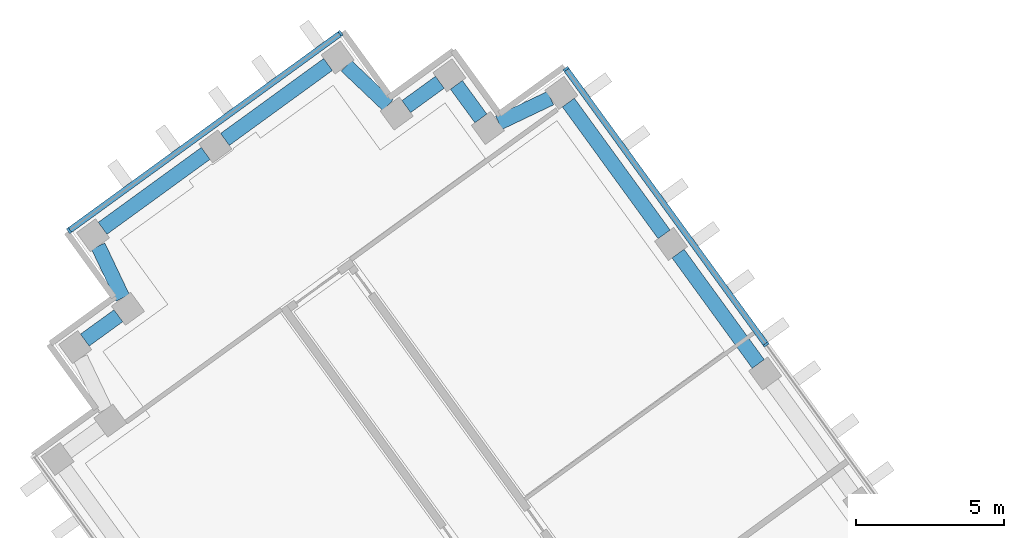
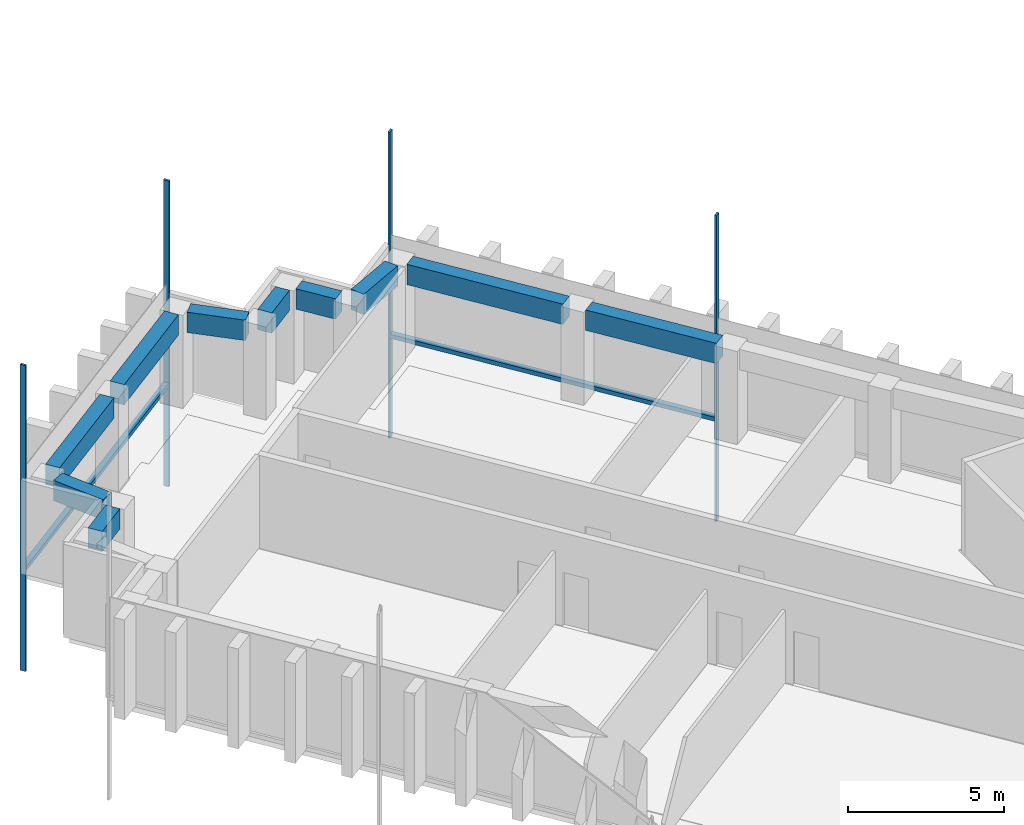
# One storey, part 4 of 14: 10 beams, 6 members, 2 elements without a shape of their own.
"""IFC4 building model written with IfcOpenShell, lengths in metres."""

from ifc_helpers import new_model, si_unit, direction, frame, origin, origin_2d, place, context, subcontext, project, spatial, rectangle, extrude, material, material_profile, profile_set, type_object, element, aggregate, save


model = new_model("IFC4")

# Units and contexts
model_context = context("Model", 3, precision=1e-05, world=origin(), true_north=direction((0.0, 1.0)))
body_context = subcontext(model_context, "Body", "Model", "MODEL_VIEW")
ifc_project = project(units=[si_unit("LENGTHUNIT", "METRE"), si_unit("AREAUNIT", "SQUARE_METRE"), si_unit("VOLUMEUNIT", "CUBIC_METRE"), si_unit("PLANEANGLEUNIT", "RADIAN"), si_unit("MASSUNIT", "GRAM", prefix="KILO")], contexts=[model_context])

# Site, building, storey
site_placement = place(None, origin())
site = spatial("IfcSite", under=ifc_project, at=site_placement, CompositionType="ELEMENT")
building_placement = place(site_placement, origin())
building = spatial("IfcBuilding", under=site, at=building_placement, Name="Quipu Civic Tower", CompositionType="ELEMENT")
storey_placement = place(building_placement, frame((0.0, 0.0, 198.0)))
storey = spatial("IfcBuildingStorey", under=building, at=storey_placement, Name="L46", CompositionType="ELEMENT", Elevation=198.0)

# Curtain wall, members
ifc_material_1 = material(Name="Insulated glass unit", Category="glass")
curtain_wall_type = type_object("IfcCurtainWallType", Name="Office curtain wall CW1", PredefinedType="NOTDEFINED", material=ifc_material_1)
curtain_wall_1_placement = place(storey_placement, origin())
curtain_wall_1 = element("IfcCurtainWall", 1, at=curtain_wall_1_placement, inside=storey, type_object=curtain_wall_type, Name="Office curtain wall CW1 L45 run 17", PredefinedType="NOTDEFINED")
ifc_material_2 = material(Name="Anodised aluminium", Category="aluminium")
ifc_material_profile_1 = material_profile(ifc_material_2, rectangle(XDim=0.199951171875, YDim=0.080078125, at=origin_2d()), Name="RECT 200x80")
ifc_profile_set_1 = profile_set([ifc_material_profile_1], Name="Anodised aluminium")
member_type_1 = type_object("IfcMemberType", Name="Mullion CW1", PredefinedType="MULLION", material=ifc_profile_set_1)
member_1_placement = place(storey_placement, frame((-21.11669921875, 20.421630859375, -3.919921875), z_axis=(0.0, 0.0, 1.0), x_axis=(-0.809014469803, -0.587788727052, 0.0)))
member_1 = element("IfcMember", 2, at=member_1_placement, type_object=member_type_1, Name="CW1 mullion 2", PredefinedType="MULLION", context=body_context, shape_type="SweptSolid", body=[
    extrude(rectangle(XDim=0.199951171875, YDim=0.080078125, at=origin_2d()), origin(), (0.0, 0.0, 1.0), 12.0),
])
member_2_placement = place(storey_placement, frame((-27.865966796875, 29.7109375, -3.919921875), z_axis=(0.0, 0.0, 1.0), x_axis=(-0.809014469803, -0.587788727052, 0.0)))
member_2 = element("IfcMember", 3, at=member_2_placement, type_object=member_type_1, Name="CW1 mullion 3", PredefinedType="MULLION", context=body_context, shape_type="SweptSolid", body=[
    extrude(rectangle(XDim=0.199951171875, YDim=0.080078125, at=origin_2d()), origin(), (0.0, 0.0, 1.0), 12.0),
])

curtain_wall_2_placement = place(storey_placement, origin())
curtain_wall_2 = element("IfcCurtainWall", 4, at=curtain_wall_2_placement, inside=storey, type_object=curtain_wall_type, Name="Office curtain wall CW1 L45 run 22", PredefinedType="NOTDEFINED")
member_3_placement = place(storey_placement, frame((-35.46435546875, 30.914306640625, -3.919921875), z_axis=(0.0, 0.0, 1.0), x_axis=(0.587787753918, -0.809015176832, 0.0)))
member_3 = element("IfcMember", 5, at=member_3_placement, type_object=member_type_1, Name="CW1 mullion 1", PredefinedType="MULLION", context=body_context, shape_type="SweptSolid", body=[
    extrude(rectangle(XDim=0.199951171875, YDim=0.080078125, at=origin_2d()), origin(), (0.0, 0.0, 1.0), 12.0),
])
member_4_placement = place(storey_placement, frame((-44.62255859375, 24.260498046875, -3.919921875), z_axis=(0.0, 0.0, 1.0), x_axis=(0.587787753918, -0.809015176832, 0.0)))
member_4 = element("IfcMember", 6, at=member_4_placement, type_object=member_type_1, Name="CW1 mullion 2", PredefinedType="MULLION", context=body_context, shape_type="SweptSolid", body=[
    extrude(rectangle(XDim=0.199951171875, YDim=0.080078125, at=origin_2d()), origin(), (0.0, 0.0, 1.0), 12.0),
])

# Beams
ifc_material_3 = material(Name="Concrete C50/60", Category="concrete")
ifc_material_profile_2 = material_profile(ifc_material_3, rectangle(XDim=0.5, YDim=0.800048828125, at=origin_2d()), Name="RC500x800")
ifc_profile_set_2 = profile_set([ifc_material_profile_2], Name="Concrete C50/60")
beam_type = type_object("IfcBeamType", Name="Spandrel beam RC 500x800 C50/60", PredefinedType="SPANDREL", material=ifc_profile_set_2)
beam_1_placement = place(storey_placement, frame((-21.382568359375, 19.767333984375, 3.25), z_axis=(-0.587736122681, 0.809052686848, 0.0), x_axis=(-0.809052686848, -0.587736122681, 0.0)))
element("IfcBeam", 7, at=beam_1_placement, inside=storey, type_object=beam_type, Name="Spandrel beam L46 W-IN-02 to W-IN-03", PredefinedType="SPANDREL", context=body_context, shape_type="SweptSolid", body=[
    extrude(rectangle(XDim=0.5, YDim=0.800048828125, at=origin_2d()), origin(), (0.0, 0.0, 1.0), 4.60009765625),
])
beam_2_placement = place(storey_placement, frame((-24.556396484375, 24.13623046875, 3.25), z_axis=(-0.587664254196, 0.809104890815, 0.0), x_axis=(-0.809104890815, -0.587664254196, 0.0)))
element("IfcBeam", 8, at=beam_2_placement, inside=storey, type_object=beam_type, Name="Spandrel beam L46 W-IN-03 to T-Wi.0-W34", PredefinedType="SPANDREL", context=body_context, shape_type="SweptSolid", body=[
    extrude(rectangle(XDim=0.5, YDim=0.800048828125, at=origin_2d()), origin(), (0.0, 0.0, 1.0), 5.493896484375),
])
beam_3_placement = place(storey_placement, frame((-28.38720703125, 28.72998046875, 3.25), z_axis=(-0.902584802379, -0.430512107279, 0.0), x_axis=(0.430512107279, -0.902584802379, 0.0)))
element("IfcBeam", 9, at=beam_3_placement, inside=storey, type_object=beam_type, Name="Spandrel beam L46 T-Wi.0-W34 to T-Wi.1-W34", PredefinedType="SPANDREL", context=body_context, shape_type="SweptSolid", body=[
    extrude(rectangle(XDim=0.5, YDim=0.800048828125, at=origin_2d()), origin(), (0.0, 0.0, 1.0), 1.9326171875),
])
beam_4_placement = place(storey_placement, frame((-30.734375, 28.0458984375, 3.25), z_axis=(-0.589342949835, 0.80788296645, 0.0), x_axis=(-0.80788296645, -0.589342949835, 0.0)))
element("IfcBeam", 10, at=beam_4_placement, inside=storey, type_object=beam_type, Name="Spandrel beam L46 T-Wi.1-W34 to T-Wi.2-W34", PredefinedType="SPANDREL", context=body_context, shape_type="SweptSolid", body=[
    extrude(rectangle(XDim=0.5, YDim=0.800048828125, at=origin_2d()), origin(), (0.0, 0.0, 1.0), 1.39990234375),
])
beam_5_placement = place(storey_placement, frame((-32.118896484375, 29.26513671875, 3.25), z_axis=(-0.80941533633, -0.587236590578, 0.0), x_axis=(0.587236590578, -0.80941533633, 0.0)))
element("IfcBeam", 11, at=beam_5_placement, inside=storey, type_object=beam_type, Name="Spandrel beam L46 T-Wi.2-W34 to T-Wi.3-W34", PredefinedType="SPANDREL", context=body_context, shape_type="SweptSolid", body=[
    extrude(rectangle(XDim=0.5, YDim=0.800048828125, at=origin_2d()), origin(), (0.0, 0.0, 1.0), 1.397705078125),
])
beam_6_placement = place(storey_placement, frame((-33.868896484375, 28.489501953125, 3.25), z_axis=(-0.72519185421, 0.68854685722, 0.0), x_axis=(-0.68854685722, -0.72519185421, 0.0)))
element("IfcBeam", 12, at=beam_6_placement, inside=storey, type_object=beam_type, Name="Spandrel beam L46 T-Wi.3-W34 to T-Wi.4-W34", PredefinedType="SPANDREL", context=body_context, shape_type="SweptSolid", body=[
    extrude(rectangle(XDim=0.5, YDim=0.800048828125, at=origin_2d()), origin(), (0.0, 0.0, 1.0), 1.93212890625),
])
beam_7_placement = place(storey_placement, frame((-35.888671875, 29.86474609375, 3.25), z_axis=(-0.808983997561, -0.58783066583, 0.0), x_axis=(0.58783066583, -0.808983997561, 0.0)))
element("IfcBeam", 13, at=beam_7_placement, inside=storey, type_object=beam_type, Name="Spandrel beam L46 T-Wi.4-W34 to TIP-W-01-W34", PredefinedType="SPANDREL", context=body_context, shape_type="SweptSolid", body=[
    extrude(rectangle(XDim=0.5, YDim=0.800048828125, at=origin_2d()), origin(), (0.0, 0.0, 1.0), 4.2998046875),
])
beam_8_placement = place(storey_placement, frame((-40.014404296875, 26.866943359375, 3.25), z_axis=(-0.808947267178, -0.587881211578, 0.0), x_axis=(0.587881211578, -0.808947267178, 0.0)))
element("IfcBeam", 14, at=beam_8_placement, inside=storey, type_object=beam_type, Name="Spandrel beam L46 TIP-W-01-W34 to T-Wo.0-W34", PredefinedType="SPANDREL", context=body_context, shape_type="SweptSolid", body=[
    extrude(rectangle(XDim=0.5, YDim=0.800048828125, at=origin_2d()), origin(), (0.0, 0.0, 1.0), 4.29833984375),
])
beam_9_placement = place(storey_placement, frame((-43.64013671875, 23.737548828125, 3.25), z_axis=(0.429889421342, -0.902881545618, 0.0), x_axis=(0.902881545618, 0.429889421342, 0.0)))
element("IfcBeam", 15, at=beam_9_placement, inside=storey, type_object=beam_type, Name="Spandrel beam L46 T-Wo.0-W34 to T-Wo.1-W34", PredefinedType="SPANDREL", context=body_context, shape_type="SweptSolid", body=[
    extrude(rectangle(XDim=0.5, YDim=0.800048828125, at=origin_2d()), origin(), (0.0, 0.0, 1.0), 1.931396484375),
])
beam_10_placement = place(storey_placement, frame((-42.958740234375, 21.391357421875, 3.25), z_axis=(-0.809467380413, -0.587164849125, 0.0), x_axis=(0.587164849125, -0.809467380413, 0.0)))
element("IfcBeam", 16, at=beam_10_placement, inside=storey, type_object=beam_type, Name="Spandrel beam L46 T-Wo.1-W34 to T-Wo.2-W34", PredefinedType="SPANDREL", context=body_context, shape_type="SweptSolid", body=[
    extrude(rectangle(XDim=0.5, YDim=0.800048828125, at=origin_2d()), origin(), (0.0, 0.0, 1.0), 1.399169921875),
])

# Member
ifc_material_4 = material(Name="Anodised aluminium", Category="aluminium")
ifc_material_profile_3 = material_profile(ifc_material_4, rectangle(XDim=0.199951171875, YDim=0.159912109375, at=origin_2d()), Name="RECT 200x160")
ifc_profile_set_3 = profile_set([ifc_material_profile_3], Name="Anodised aluminium")
member_type_2 = type_object("IfcMemberType", Name="Transom CW1", PredefinedType="USERDEFINED", material=ifc_profile_set_3)
member_5_placement = place(storey_placement, frame((-21.140380859375, 20.453857421875, 0.080078125), z_axis=(-0.587775682251, 0.809023947331, 0.0), x_axis=(-0.809023947331, -0.587775682251, 0.0)))
member_5 = element("IfcMember", 17, at=member_5_placement, type_object=member_type_2, Name="CW1 transom 2.2", ObjectType="TRANSOM", PredefinedType="USERDEFINED", context=body_context, shape_type="SweptSolid", body=[
    extrude(rectangle(XDim=0.199951171875, YDim=0.159912109375, at=origin_2d()), origin(), (0.0, 0.0, 1.0), 11.402099609375),
])

aggregate(curtain_wall_1, [member_1, member_2, member_5])

member_6_placement = place(storey_placement, frame((-35.496826171875, 30.890869140625, 0.080078125), z_axis=(-0.809014959561, -0.587788052963, 0.0), x_axis=(0.587788052963, -0.809014959561, 0.0)))
member_6 = element("IfcMember", 18, at=member_6_placement, type_object=member_type_2, Name="CW1 transom 1.2", ObjectType="TRANSOM", PredefinedType="USERDEFINED", context=body_context, shape_type="SweptSolid", body=[
    extrude(rectangle(XDim=0.199951171875, YDim=0.159912109375, at=origin_2d()), origin(), (0.0, 0.0, 1.0), 11.239990234375),
])

aggregate(curtain_wall_2, [member_3, member_4, member_6])

save(model, "model.ifc")
